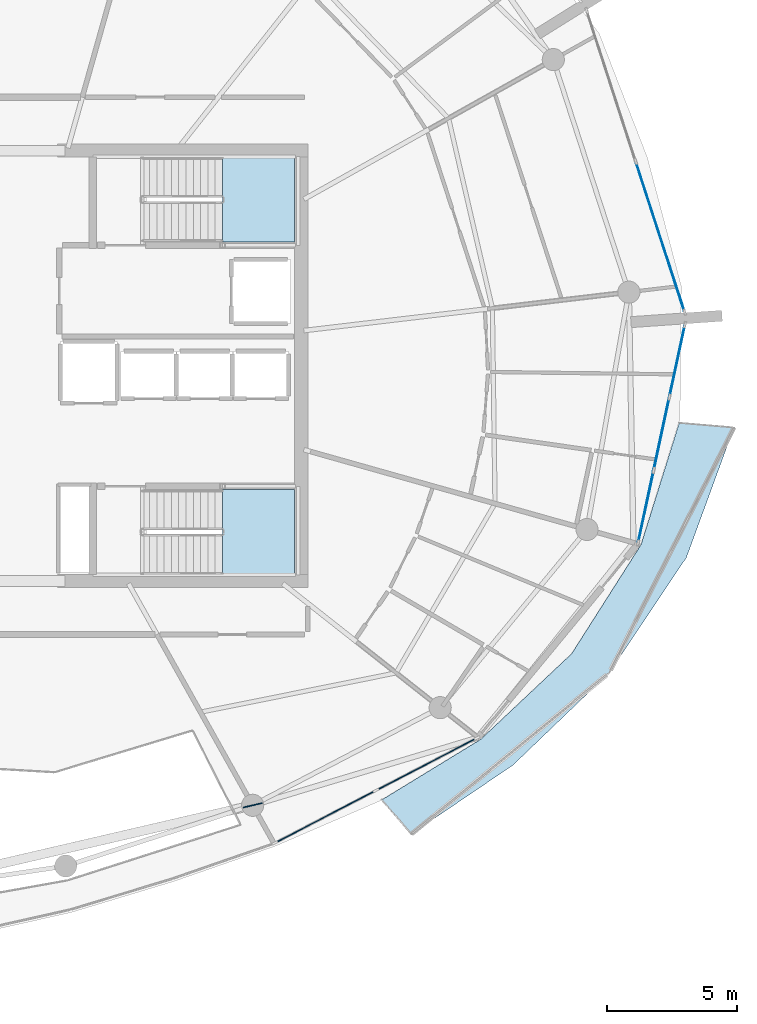
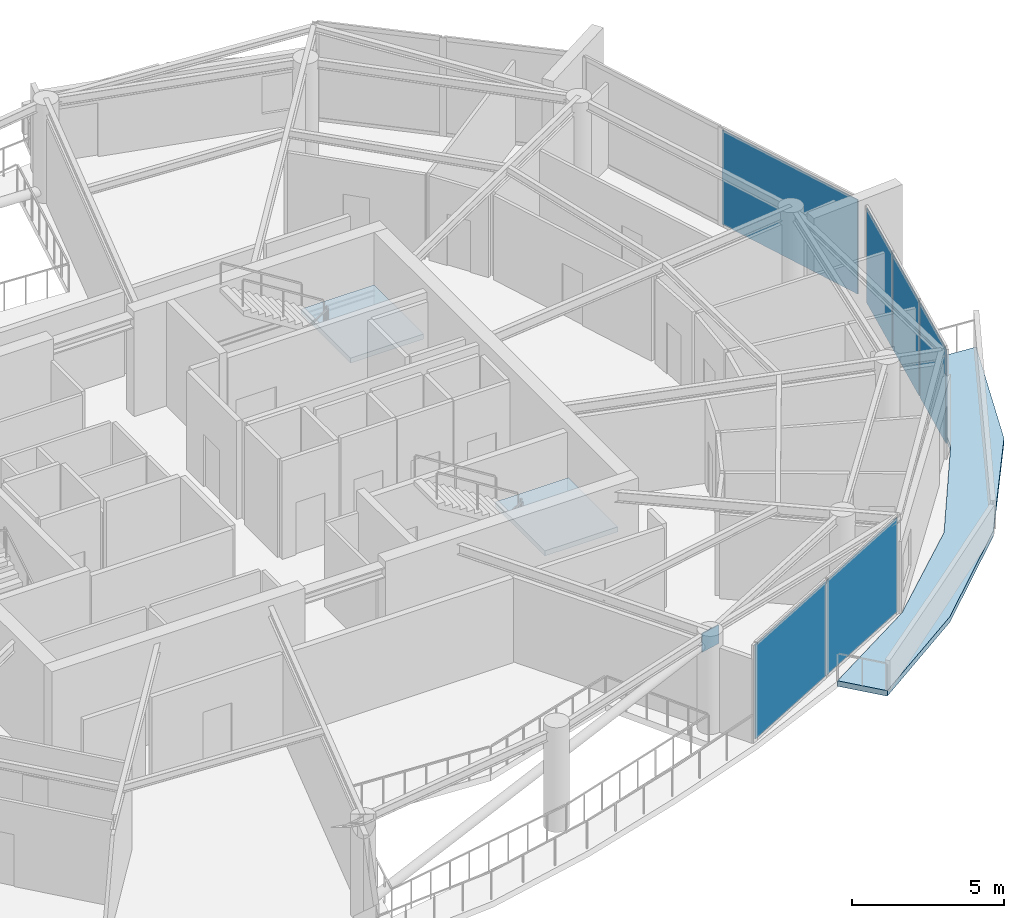
# One storey, part 11 of 22: 7 plates, 3 slabs, 5 elements without a shape of their own.
"""IFC4 building model written with IfcOpenShell, lengths in metres."""

from ifc_helpers import new_model, si_unit, direction, frame, origin, origin_2d, place, context, subcontext, project, spatial, polyline, rectangle, outline, extrude, material, layer, layer_set, type_object, element, aggregate, save


model = new_model("IFC4")

# Units and contexts
model_context = context("Model", 3, precision=1e-05, world=origin(), true_north=direction((0.0, 1.0)))
body_context = subcontext(model_context, "Body", "Model", "MODEL_VIEW")
ifc_project = project(units=[si_unit("LENGTHUNIT", "METRE"), si_unit("AREAUNIT", "SQUARE_METRE"), si_unit("VOLUMEUNIT", "CUBIC_METRE"), si_unit("PLANEANGLEUNIT", "RADIAN"), si_unit("MASSUNIT", "GRAM", prefix="KILO")], contexts=[model_context])

# Site, building, storey
site_placement = place(None, origin())
site = spatial("IfcSite", under=ifc_project, at=site_placement, CompositionType="ELEMENT")
building_placement = place(site_placement, origin())
building = spatial("IfcBuilding", under=site, at=building_placement, Name="Kazma Halo Residences", CompositionType="ELEMENT")
storey_placement = place(building_placement, frame((0.0, 0.0, 330.5)))
storey = spatial("IfcBuildingStorey", under=building, at=storey_placement, Name="L83", CompositionType="ELEMENT", Elevation=330.5)

# Curtain wall, plates
ifc_material_1 = material(Name="Aluminium AW-6063 T6 and Triple-Silver Low-E Glass", Category="aluminium")
ifc_layer_1 = layer(ifc_material_1, 0.239990234375)
ifc_layer_set_1 = layer_set([ifc_layer_1], Name="Aluminium AW-6063 T6 and Triple-Silver Low-E Glass")
curtain_wall_type = type_object("IfcCurtainWallType", Name="CW-SYS-6", PredefinedType="NOTDEFINED", material=ifc_layer_set_1)
curtain_wall_1_placement = place(storey_placement, origin())
curtain_wall_1 = element("IfcCurtainWall", 1, at=curtain_wall_1_placement, inside=storey, type_object=curtain_wall_type, Name="L83 unitised curtain wall B13", PredefinedType="NOTDEFINED")
ifc_material_2 = material(Name="Clear Triple-Silver Low-E Glass IGU", Category="glass")
ifc_layer_2 = layer(ifc_material_2, 0.035888671875)
ifc_layer_set_2 = layer_set([ifc_layer_2], Name="Clear Triple-Silver Low-E Glass IGU")
plate_type_1 = type_object("IfcPlateType", Name="CW-SYS-6-PNL", PredefinedType="CURTAIN_PANEL", material=ifc_layer_set_2)
plate_1_placement = place(storey_placement, frame((60.22802734375, 24.713134765625, 0.080078125), z_axis=(0.0, 0.0, 1.0), x_axis=(0.887506071618, 0.460796020861, 0.0)))
plate_1 = element("IfcPlate", 2, at=plate_1_placement, type_object=plate_type_1, Name="CWS-6 panel 1.1", PredefinedType="CURTAIN_PANEL", context=body_context, shape_type="SweptSolid", body=[
    extrude(rectangle(XDim=4.28662109375, YDim=0.035888671875, at=origin_2d()), origin(), (0.0, 0.0, 1.0), 3.780029296875),
])
plate_2_placement = place(storey_placement, frame((64.103271484375, 26.725341796875, 0.080078125), z_axis=(0.0, 0.0, 1.0), x_axis=(0.887506071618, 0.460796020861, 0.0)))
plate_2 = element("IfcPlate", 3, at=plate_2_placement, type_object=plate_type_1, Name="CWS-6 panel 2.1", PredefinedType="CURTAIN_PANEL", context=body_context, shape_type="SweptSolid", body=[
    extrude(rectangle(XDim=4.28662109375, YDim=0.035888671875, at=origin_2d()), origin(), (0.0, 0.0, 1.0), 3.780029296875),
])
aggregate(curtain_wall_1, [plate_1, plate_2])

curtain_wall_2_placement = place(storey_placement, origin())
curtain_wall_2 = element("IfcCurtainWall", 4, at=curtain_wall_2_placement, inside=storey, type_object=curtain_wall_type, Name="L83 unitised curtain wall B15", PredefinedType="NOTDEFINED")
plate_3_placement = place(storey_placement, frame((72.513427734375, 36.59912109375, 0.080078125), z_axis=(0.0, 0.0, 1.0), x_axis=(0.209722888986, 0.977760865363, 0.0)))
plate_3 = element("IfcPlate", 5, at=plate_3_placement, type_object=plate_type_1, Name="CWS-6 panel 1.1", PredefinedType="CURTAIN_PANEL", context=body_context, shape_type="SweptSolid", body=[
    extrude(rectangle(XDim=2.7578125, YDim=0.035888671875, at=origin_2d()), origin(), (0.0, 0.0, 1.0), 3.780029296875),
])
plate_4_placement = place(storey_placement, frame((73.11279296875, 39.3935546875, 0.080078125), z_axis=(0.0, 0.0, 1.0), x_axis=(0.209722888986, 0.977760865363, 0.0)))
plate_4 = element("IfcPlate", 6, at=plate_4_placement, type_object=plate_type_1, Name="CWS-6 panel 2.1", PredefinedType="CURTAIN_PANEL", context=body_context, shape_type="SweptSolid", body=[
    extrude(rectangle(XDim=2.7978515625, YDim=0.035888671875, at=origin_2d()), origin(), (0.0, 0.0, 1.0), 3.780029296875),
])
plate_5_placement = place(storey_placement, frame((73.712158203125, 42.187744140625, 0.080078125), z_axis=(0.0, 0.0, 1.0), x_axis=(0.209722888986, 0.977760865363, 0.0)))
plate_5 = element("IfcPlate", 7, at=plate_5_placement, type_object=plate_type_1, Name="CWS-6 panel 3.1", PredefinedType="CURTAIN_PANEL", context=body_context, shape_type="SweptSolid", body=[
    extrude(rectangle(XDim=2.7578125, YDim=0.035888671875, at=origin_2d()), origin(), (0.0, 0.0, 1.0), 3.780029296875),
])
aggregate(curtain_wall_2, [plate_3, plate_4, plate_5])

# Curtain wall, plate
curtain_wall_3_placement = place(storey_placement, origin())
curtain_wall_3 = element("IfcCurtainWall", 8, at=curtain_wall_3_placement, inside=storey, type_object=curtain_wall_type, Name="L83 unitised curtain wall B16", PredefinedType="NOTDEFINED")
plate_6_placement = place(storey_placement, frame((73.060791015625, 46.9501953125, 0.080078125), z_axis=(0.0, 0.0, 1.0), x_axis=(-0.309018932797, 0.951055886462, 0.0)))
plate_6 = element("IfcPlate", 9, at=plate_6_placement, type_object=plate_type_1, Name="CWS-6 panel 1.1", PredefinedType="CURTAIN_PANEL", context=body_context, shape_type="SweptSolid", body=[
    extrude(rectangle(XDim=5.99267578125, YDim=0.035888671875, at=origin_2d()), origin(), (0.0, 0.0, 1.0), 3.780029296875),
])
aggregate(curtain_wall_3, [plate_6])

# Plate
ifc_material_3 = material(Name="Steel S355", Category="steel")
ifc_layer_3 = layer(ifc_material_3, 0.0400390625)
ifc_layer_set_3 = layer_set([ifc_layer_3], Name="Steel S355")
plate_type_2 = type_object("IfcPlateType", Name="PLT-GUSSET-40", PredefinedType="SHEET", material=ifc_layer_set_3)
plate_7_placement = place(storey_placement, frame((57.436767578125, 25.1494140625, 3.18505859375), z_axis=(0.0, 0.0, 1.0), x_axis=(0.974083647521, 0.226188080216, 0.0)))
element("IfcPlate", 10, at=plate_7_placement, inside=storey, type_object=plate_type_2, Name="L83 wind-portal upper gusset SSE", PredefinedType="SHEET", context=body_context, shape_type="SweptSolid", body=[
    extrude(rectangle(XDim=0.75, YDim=0.0400390625, at=origin_2d()), origin(), (0.0, 0.0, 1.0), 0.75),
])

# Slab
ifc_material_4 = material(Name="White Concrete C50/60", Category="concrete")
ifc_layer_4 = layer(ifc_material_4, 0.219970703125)
ifc_layer_set_4 = layer_set([ifc_layer_4], Name="White Concrete C50/60")
slab_type_1 = type_object("IfcSlabType", Name="SLB-BAL-WAVE-210", PredefinedType="FLOOR", material=ifc_layer_set_4)
slab_1_placement = place(storey_placement, frame((0.0, 0.0, -0.219970703125)))
element("IfcSlab", 11, at=slab_1_placement, inside=storey, type_object=slab_type_1, Name="L83 SE cantilevered wave balcony slab", PredefinedType="FLOOR", context=body_context, shape_type="SweptSolid", body=[
    extrude(outline(polyline([(62.38818359375, 25.360595703125), (66.17236328125, 27.674072265625), (69.664794921875, 30.961181640625), (72.324951171875, 35.1396484375), (73.7900390625, 39.811767578125), (75.890380859375, 39.633544921875), (74.066162109375, 34.648681640625), (71.106201171875, 30.226806640625), (67.419189453125, 26.69091796875), (63.522216796875, 24.048828125), (62.38818359375, 25.360595703125)])), origin(), (0.0, 0.0, 1.0), 0.219970703125),
])

# Stair, slab
ifc_material_5 = material(Name="Concrete C50/60", Category="concrete")
stair_type = type_object("IfcStairType", Name="STR-RES2", PredefinedType="HALF_TURN_STAIR", material=ifc_material_5)
stair_1_placement = place(storey_placement, origin())
stair_1 = element("IfcStair", 12, at=stair_1_placement, inside=storey, type_object=stair_type, Name="L83 Core exit stair ST-02", PredefinedType="HALF_TURN_STAIR")
ifc_layer_5 = layer(ifc_material_5, 0.199951171875)
ifc_layer_set_5 = layer_set([ifc_layer_5], Name="Concrete C50/60")
slab_type_2 = type_object("IfcSlabType", Name="SLB-STAIR-LND-200", PredefinedType="LANDING", material=ifc_layer_set_5)
slab_2_placement = place(storey_placement, frame((0.0, 0.0, 1.89990234375)))
slab_2 = element("IfcSlab", 13, at=slab_2_placement, type_object=slab_type_2, Name="ST-02 landing 1", PredefinedType="LANDING", context=body_context, shape_type="SweptSolid", body=[
    extrude(outline(polyline([(56.280029296875, 46.75), (59.050048828125, 46.75), (59.050048828125, 50.0), (56.280029296875, 50.0), (56.280029296875, 46.75)])), origin(), (0.0, 0.0, 1.0), 0.2001953125),
])
aggregate(stair_1, [slab_2])

stair_2_placement = place(storey_placement, origin())
stair_2 = element("IfcStair", 14, at=stair_2_placement, inside=storey, type_object=stair_type, Name="L83 Core exit stair ST-03", PredefinedType="HALF_TURN_STAIR")
slab_3_placement = place(storey_placement, frame((0.0, 0.0, 1.89990234375)))
slab_3 = element("IfcSlab", 15, at=slab_3_placement, type_object=slab_type_2, Name="ST-03 landing 1", PredefinedType="LANDING", context=body_context, shape_type="SweptSolid", body=[
    extrude(outline(polyline([(56.280029296875, 34.0), (59.050048828125, 34.0), (59.050048828125, 37.25), (56.280029296875, 37.25), (56.280029296875, 34.0)])), origin(), (0.0, 0.0, 1.0), 0.2001953125),
])
aggregate(stair_2, [slab_3])

save(model, "model.ifc")
